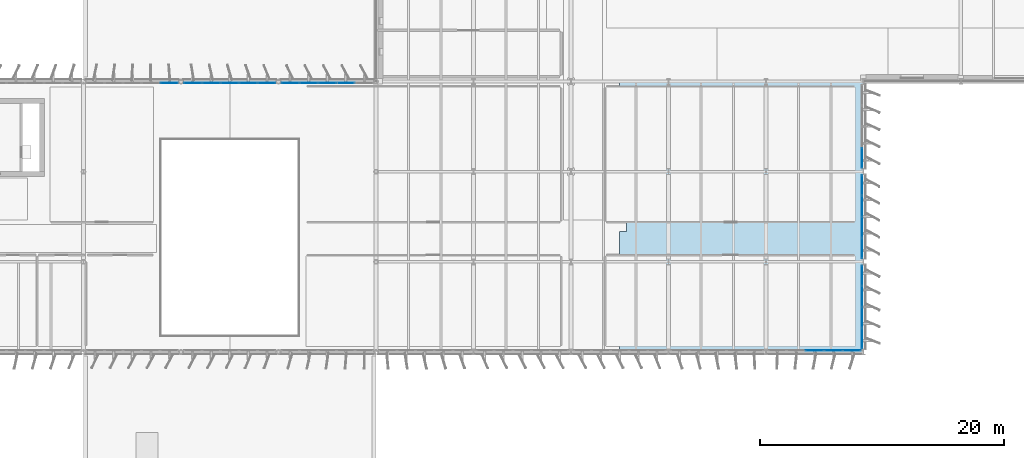
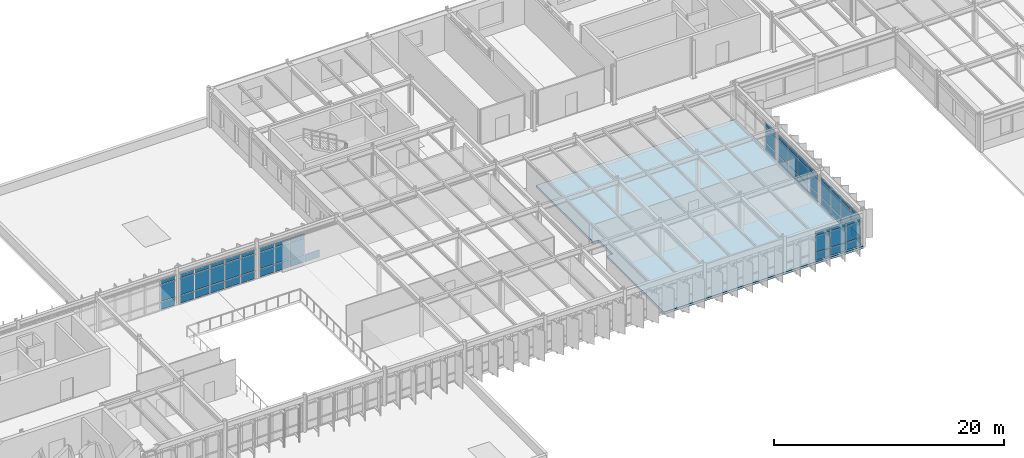
# One storey, part 33 of 56: 64 plates, 1 slab, 7 elements without a shape of their own.
"""IFC4 building model written with IfcOpenShell, lengths in metres."""

from ifc_helpers import new_model, si_unit, direction, frame, origin, origin_2d, place, context, subcontext, project, spatial, polyline, rectangle, outline, extrude, material, layer, layer_set, type_object, element, aggregate, save


model = new_model("IFC4")

# Units and contexts
model_context = context("Model", 3, precision=1e-05, world=origin(), true_north=direction((0.0, 1.0)))
body_context = subcontext(model_context, "Body", "Model", "MODEL_VIEW")
ifc_project = project(units=[si_unit("LENGTHUNIT", "METRE"), si_unit("AREAUNIT", "SQUARE_METRE"), si_unit("VOLUMEUNIT", "CUBIC_METRE"), si_unit("PLANEANGLEUNIT", "RADIAN"), si_unit("MASSUNIT", "GRAM", prefix="KILO")], contexts=[model_context])

# Site, building, storey
site_placement = place(None, origin())
site = spatial("IfcSite", under=ifc_project, at=site_placement, CompositionType="ELEMENT")
building_placement = place(site_placement, origin())
building = spatial("IfcBuilding", under=site, at=building_placement, Name="Valkorina Park Police Headquarters", CompositionType="ELEMENT")
storey_placement = place(building_placement, frame((0.0, 0.0, 14.10009765625)))
storey = spatial("IfcBuildingStorey", under=building, at=storey_placement, Name="L04", CompositionType="ELEMENT", Elevation=14.10009765625)

# Curtain wall, plate
ifc_material_1 = material(Name="Thermally broken aluminium AW-6060", Category="aluminium")
ifc_layer_1 = layer(ifc_material_1, 0.18994140625)
ifc_layer_set_1 = layer_set([ifc_layer_1], Name="Thermally broken aluminium AW-6060")
curtain_wall_type_1 = type_object("IfcCurtainWallType", Name="CW-V5-7620x3260", PredefinedType="NOTDEFINED", material=ifc_layer_set_1)
curtain_wall_1_placement = place(storey_placement, origin())
curtain_wall_1 = element("IfcCurtainWall", 1, at=curtain_wall_1_placement, inside=storey, type_object=curtain_wall_type_1, Name="L04 Unitised Curtain Wall 037", PredefinedType="NOTDEFINED")
ifc_layer_2 = layer(ifc_material_1, 0.050048828125)
ifc_layer_set_2 = layer_set([ifc_layer_2], Name="Thermally broken aluminium AW-6060")
plate_type_1 = type_object("IfcPlateType", Name="PL-CWP-SPANDREL-50", PredefinedType="CURTAIN_PANEL", material=ifc_layer_set_2)
plate_1_placement = place(storey_placement, frame((63.832275390625, 59.080078125, 0.06982421875), z_axis=(0.0, 0.0, 1.0), x_axis=(1.0, 0.0, 0.0)))
plate_1 = element("IfcPlate", 2, at=plate_1_placement, type_object=plate_type_1, Name="CW-V5-762-326 panel 5.1", PredefinedType="CURTAIN_PANEL", context=body_context, shape_type="SweptSolid", body=[
    extrude(rectangle(XDim=1.419921875, YDim=0.028076171875, at=origin_2d()), origin(), (0.0, 0.0, 1.0), 0.794921875),
])

# Curtain wall, plates
ifc_layer_3 = layer(ifc_material_1, 0.18994140625)
ifc_layer_set_3 = layer_set([ifc_layer_3], Name="Thermally broken aluminium AW-6060")
curtain_wall_type_2 = type_object("IfcCurtainWallType", Name="CW-V5-7620x3240", PredefinedType="NOTDEFINED", material=ifc_layer_set_3)
curtain_wall_2_placement = place(storey_placement, origin())
curtain_wall_2 = element("IfcCurtainWall", 3, at=curtain_wall_2_placement, inside=storey, type_object=curtain_wall_type_2, Name="L04 Unitised Curtain Wall 038", PredefinedType="NOTDEFINED")
plate_2_placement = place(storey_placement, frame((65.767822265625, 59.080078125, 0.06982421875), z_axis=(0.0, 0.0, 1.0), x_axis=(1.0, 0.0, 0.0)))
plate_2 = element("IfcPlate", 4, at=plate_2_placement, type_object=plate_type_1, Name="CW-V5-762-324 panel 1.1", PredefinedType="CURTAIN_PANEL", context=body_context, shape_type="SweptSolid", body=[
    extrude(rectangle(XDim=1.419921875, YDim=0.028076171875, at=origin_2d()), origin(), (0.0, 0.0, 1.0), 0.794921875),
])
plate_3_placement = place(storey_placement, frame((67.275146484375, 59.080078125, 0.06982421875), z_axis=(0.0, 0.0, 1.0), x_axis=(1.0, 0.0, 0.0)))
plate_3 = element("IfcPlate", 5, at=plate_3_placement, type_object=plate_type_1, Name="CW-V5-762-324 panel 2.1", PredefinedType="CURTAIN_PANEL", context=body_context, shape_type="SweptSolid", body=[
    extrude(rectangle(XDim=1.454833984375, YDim=0.028076171875, at=origin_2d()), origin(), (0.0, 0.0, 1.0), 0.794921875),
])
plate_4_placement = place(storey_placement, frame((68.800048828125, 59.080078125, 0.06982421875), z_axis=(0.0, 0.0, 1.0), x_axis=(1.0, 0.0, 0.0)))
plate_4 = element("IfcPlate", 6, at=plate_4_placement, type_object=plate_type_1, Name="CW-V5-762-324 panel 3.1", PredefinedType="CURTAIN_PANEL", context=body_context, shape_type="SweptSolid", body=[
    extrude(rectangle(XDim=1.454833984375, YDim=0.028076171875, at=origin_2d()), origin(), (0.0, 0.0, 1.0), 0.794921875),
])
plate_5_placement = place(storey_placement, frame((70.324951171875, 59.080078125, 0.06982421875), z_axis=(0.0, 0.0, 1.0), x_axis=(1.0, 0.0, 0.0)))
plate_5 = element("IfcPlate", 7, at=plate_5_placement, type_object=plate_type_1, Name="CW-V5-762-324 panel 4.1", PredefinedType="CURTAIN_PANEL", context=body_context, shape_type="SweptSolid", body=[
    extrude(rectangle(XDim=1.454833984375, YDim=0.028076171875, at=origin_2d()), origin(), (0.0, 0.0, 1.0), 0.794921875),
])
plate_6_placement = place(storey_placement, frame((71.832275390625, 59.080078125, 0.06982421875), z_axis=(0.0, 0.0, 1.0), x_axis=(1.0, 0.0, 0.0)))
plate_6 = element("IfcPlate", 8, at=plate_6_placement, type_object=plate_type_1, Name="CW-V5-762-324 panel 5.1", PredefinedType="CURTAIN_PANEL", context=body_context, shape_type="SweptSolid", body=[
    extrude(rectangle(XDim=1.419921875, YDim=0.028076171875, at=origin_2d()), origin(), (0.0, 0.0, 1.0), 0.794921875),
])

ifc_layer_4 = layer(ifc_material_1, 0.18994140625)
ifc_layer_set_4 = layer_set([ifc_layer_4], Name="Thermally broken aluminium AW-6060")
curtain_wall_type_3 = type_object("IfcCurtainWallType", Name="CW-V5-7620x3180", PredefinedType="NOTDEFINED", material=ifc_layer_set_4)
curtain_wall_3_placement = place(storey_placement, origin())
curtain_wall_3 = element("IfcCurtainWall", 9, at=curtain_wall_3_placement, inside=storey, type_object=curtain_wall_type_3, Name="L04 Unitised Curtain Wall 039", PredefinedType="NOTDEFINED")
plate_7_placement = place(storey_placement, frame((73.767822265625, 59.080078125, 0.06982421875), z_axis=(0.0, 0.0, 1.0), x_axis=(1.0, 0.0, 0.0)))
plate_7 = element("IfcPlate", 10, at=plate_7_placement, type_object=plate_type_1, Name="CW-V5-762-318 panel 1.1", PredefinedType="CURTAIN_PANEL", context=body_context, shape_type="SweptSolid", body=[
    extrude(rectangle(XDim=1.419921875, YDim=0.028076171875, at=origin_2d()), origin(), (0.0, 0.0, 1.0), 0.794921875),
])
plate_8_placement = place(storey_placement, frame((75.275146484375, 59.080078125, 0.06982421875), z_axis=(0.0, 0.0, 1.0), x_axis=(1.0, 0.0, 0.0)))
plate_8 = element("IfcPlate", 11, at=plate_8_placement, type_object=plate_type_1, Name="CW-V5-762-318 panel 2.1", PredefinedType="CURTAIN_PANEL", context=body_context, shape_type="SweptSolid", body=[
    extrude(rectangle(XDim=1.454833984375, YDim=0.028076171875, at=origin_2d()), origin(), (0.0, 0.0, 1.0), 0.794921875),
])
plate_9_placement = place(storey_placement, frame((76.800048828125, 59.080078125, 0.06982421875), z_axis=(0.0, 0.0, 1.0), x_axis=(1.0, 0.0, 0.0)))
plate_9 = element("IfcPlate", 12, at=plate_9_placement, type_object=plate_type_1, Name="CW-V5-762-318 panel 3.1", PredefinedType="CURTAIN_PANEL", context=body_context, shape_type="SweptSolid", body=[
    extrude(rectangle(XDim=1.454833984375, YDim=0.028076171875, at=origin_2d()), origin(), (0.0, 0.0, 1.0), 0.794921875),
])
plate_10_placement = place(storey_placement, frame((78.324951171875, 59.080078125, 0.06982421875), z_axis=(0.0, 0.0, 1.0), x_axis=(1.0, 0.0, 0.0)))
plate_10 = element("IfcPlate", 13, at=plate_10_placement, type_object=plate_type_1, Name="CW-V5-762-318 panel 4.1", PredefinedType="CURTAIN_PANEL", context=body_context, shape_type="SweptSolid", body=[
    extrude(rectangle(XDim=1.454833984375, YDim=0.028076171875, at=origin_2d()), origin(), (0.0, 0.0, 1.0), 0.794921875),
])

# Curtain wall, plate
ifc_layer_5 = layer(ifc_material_1, 0.18994140625)
ifc_layer_set_5 = layer_set([ifc_layer_5], Name="Thermally broken aluminium AW-6060")
curtain_wall_type_4 = type_object("IfcCurtainWallType", Name="CW-V5-6930x3110", PredefinedType="NOTDEFINED", material=ifc_layer_set_5)
curtain_wall_4_placement = place(storey_placement, origin())
curtain_wall_4 = element("IfcCurtainWall", 14, at=curtain_wall_4_placement, inside=storey, type_object=curtain_wall_type_4, Name="L04 Unitised Curtain Wall 040", PredefinedType="NOTDEFINED")
plate_11_placement = place(storey_placement, frame((120.679931640625, 52.918701171875, 0.06982421875), z_axis=(0.0, 0.0, 1.0), x_axis=(0.0, -1.0, 0.0)))
plate_11 = element("IfcPlate", 15, at=plate_11_placement, type_object=plate_type_1, Name="CW-V5-693-311 panel 4.1", PredefinedType="CURTAIN_PANEL", context=body_context, shape_type="SweptSolid", body=[
    extrude(rectangle(XDim=1.62744140625, YDim=0.028076171875, at=origin_2d()), origin(), (0.0, 0.0, 1.0), 0.794921875),
])

# Curtain wall, plates
curtain_wall_5_placement = place(storey_placement, origin())
curtain_wall_5 = element("IfcCurtainWall", 16, at=curtain_wall_5_placement, inside=storey, type_object=curtain_wall_type_4, Name="L04 Unitised Curtain Wall 041", PredefinedType="NOTDEFINED")
plate_12_placement = place(storey_placement, frame((120.679931640625, 50.68115234375, 0.06982421875), z_axis=(0.0, 0.0, 1.0), x_axis=(0.0, -1.0, 0.0)))
plate_12 = element("IfcPlate", 17, at=plate_12_placement, type_object=plate_type_1, Name="CW-V5-693-311 panel 1.1", PredefinedType="CURTAIN_PANEL", context=body_context, shape_type="SweptSolid", body=[
    extrude(rectangle(XDim=1.62744140625, YDim=0.028076171875, at=origin_2d()), origin(), (0.0, 0.0, 1.0), 0.794921875),
])
plate_13_placement = place(storey_placement, frame((120.679931640625, 48.96630859375, 0.06982421875), z_axis=(0.0, 0.0, 1.0), x_axis=(0.0, -1.0, 0.0)))
plate_13 = element("IfcPlate", 18, at=plate_13_placement, type_object=plate_type_1, Name="CW-V5-693-311 panel 2.1", PredefinedType="CURTAIN_PANEL", context=body_context, shape_type="SweptSolid", body=[
    extrude(rectangle(XDim=1.66259765625, YDim=0.028076171875, at=origin_2d()), origin(), (0.0, 0.0, 1.0), 0.794921875),
])
plate_14_placement = place(storey_placement, frame((120.679931640625, 47.233642578125, 0.06982421875), z_axis=(0.0, 0.0, 1.0), x_axis=(0.0, -1.0, 0.0)))
plate_14 = element("IfcPlate", 19, at=plate_14_placement, type_object=plate_type_1, Name="CW-V5-693-311 panel 3.1", PredefinedType="CURTAIN_PANEL", context=body_context, shape_type="SweptSolid", body=[
    extrude(rectangle(XDim=1.66259765625, YDim=0.028076171875, at=origin_2d()), origin(), (0.0, 0.0, 1.0), 0.794921875),
])
plate_15_placement = place(storey_placement, frame((120.679931640625, 45.518798828125, 0.06982421875), z_axis=(0.0, 0.0, 1.0), x_axis=(0.0, -1.0, 0.0)))
plate_15 = element("IfcPlate", 20, at=plate_15_placement, type_object=plate_type_1, Name="CW-V5-693-311 panel 4.1", PredefinedType="CURTAIN_PANEL", context=body_context, shape_type="SweptSolid", body=[
    extrude(rectangle(XDim=1.62744140625, YDim=0.028076171875, at=origin_2d()), origin(), (0.0, 0.0, 1.0), 0.794921875),
])

curtain_wall_6_placement = place(storey_placement, origin())
curtain_wall_6 = element("IfcCurtainWall", 21, at=curtain_wall_6_placement, inside=storey, type_object=curtain_wall_type_4, Name="L04 Unitised Curtain Wall 042", PredefinedType="NOTDEFINED")
plate_16_placement = place(storey_placement, frame((120.679931640625, 43.28125, 0.06982421875), z_axis=(0.0, 0.0, 1.0), x_axis=(0.0, -1.0, 0.0)))
plate_16 = element("IfcPlate", 22, at=plate_16_placement, type_object=plate_type_1, Name="CW-V5-693-311 panel 1.1", PredefinedType="CURTAIN_PANEL", context=body_context, shape_type="SweptSolid", body=[
    extrude(rectangle(XDim=1.62744140625, YDim=0.028076171875, at=origin_2d()), origin(), (0.0, 0.0, 1.0), 0.794921875),
])
plate_17_placement = place(storey_placement, frame((120.679931640625, 41.566162109375, 0.06982421875), z_axis=(0.0, 0.0, 1.0), x_axis=(0.0, -1.0, 0.0)))
plate_17 = element("IfcPlate", 23, at=plate_17_placement, type_object=plate_type_1, Name="CW-V5-693-311 panel 2.1", PredefinedType="CURTAIN_PANEL", context=body_context, shape_type="SweptSolid", body=[
    extrude(rectangle(XDim=1.66259765625, YDim=0.028076171875, at=origin_2d()), origin(), (0.0, 0.0, 1.0), 0.794921875),
])
plate_18_placement = place(storey_placement, frame((120.679931640625, 39.833740234375, 0.06982421875), z_axis=(0.0, 0.0, 1.0), x_axis=(0.0, -1.0, 0.0)))
plate_18 = element("IfcPlate", 24, at=plate_18_placement, type_object=plate_type_1, Name="CW-V5-693-311 panel 3.1", PredefinedType="CURTAIN_PANEL", context=body_context, shape_type="SweptSolid", body=[
    extrude(rectangle(XDim=1.66259765625, YDim=0.028076171875, at=origin_2d()), origin(), (0.0, 0.0, 1.0), 0.794921875),
])
plate_19_placement = place(storey_placement, frame((120.679931640625, 38.11865234375, 0.06982421875), z_axis=(0.0, 0.0, 1.0), x_axis=(0.0, -1.0, 0.0)))
plate_19 = element("IfcPlate", 25, at=plate_19_placement, type_object=plate_type_1, Name="CW-V5-693-311 panel 4.1", PredefinedType="CURTAIN_PANEL", context=body_context, shape_type="SweptSolid", body=[
    extrude(rectangle(XDim=1.62744140625, YDim=0.028076171875, at=origin_2d()), origin(), (0.0, 0.0, 1.0), 0.794921875),
])

ifc_layer_6 = layer(ifc_material_1, 0.18994140625)
ifc_layer_set_6 = layer_set([ifc_layer_6], Name="Thermally broken aluminium AW-6060")
curtain_wall_type_5 = type_object("IfcCurtainWallType", Name="CW-V5-7680x3170", PredefinedType="NOTDEFINED", material=ifc_layer_set_6)
curtain_wall_7_placement = place(storey_placement, origin())
curtain_wall_7 = element("IfcCurtainWall", 26, at=curtain_wall_7_placement, inside=storey, type_object=curtain_wall_type_5, Name="L04 Unitised Curtain Wall 043", PredefinedType="NOTDEFINED")
plate_20_placement = place(storey_placement, frame((119.8544921875, 37.1201171875, 0.06982421875), z_axis=(0.0, 0.0, 1.0), x_axis=(-1.0, 0.0, 0.0)))
plate_20 = element("IfcPlate", 27, at=plate_20_placement, type_object=plate_type_1, Name="CW-V5-768-317 panel 1.1", PredefinedType="CURTAIN_PANEL", context=body_context, shape_type="SweptSolid", body=[
    extrude(rectangle(XDim=1.430908203125, YDim=0.028076171875, at=origin_2d()), origin(), (0.0, 0.0, 1.0), 0.794921875),
])
plate_21_placement = place(storey_placement, frame((118.3359375, 37.1201171875, 0.06982421875), z_axis=(0.0, 0.0, 1.0), x_axis=(-1.0, 0.0, 0.0)))
plate_21 = element("IfcPlate", 28, at=plate_21_placement, type_object=plate_type_1, Name="CW-V5-768-317 panel 2.1", PredefinedType="CURTAIN_PANEL", context=body_context, shape_type="SweptSolid", body=[
    extrude(rectangle(XDim=1.466064453125, YDim=0.028076171875, at=origin_2d()), origin(), (0.0, 0.0, 1.0), 0.794921875),
])
plate_22_placement = place(storey_placement, frame((116.800048828125, 37.1201171875, 0.06982421875), z_axis=(0.0, 0.0, 1.0), x_axis=(-1.0, 0.0, 0.0)))
plate_22 = element("IfcPlate", 29, at=plate_22_placement, type_object=plate_type_1, Name="CW-V5-768-317 panel 3.1", PredefinedType="CURTAIN_PANEL", context=body_context, shape_type="SweptSolid", body=[
    extrude(rectangle(XDim=1.466064453125, YDim=0.028076171875, at=origin_2d()), origin(), (0.0, 0.0, 1.0), 0.794921875),
])

# Plate
ifc_material_2 = material(Name="Triple low-E insulated glazing", Category="glass")
ifc_layer_7 = layer(ifc_material_2, 0.028076171875)
ifc_layer_set_7 = layer_set([ifc_layer_7], Name="Triple low-E insulated glazing")
plate_type_2 = type_object("IfcPlateType", Name="PL-CWP-VISION-28", PredefinedType="CURTAIN_PANEL", material=ifc_layer_set_7)
plate_23_placement = place(storey_placement, frame((63.832275390625, 59.080078125, 0.93505859375), z_axis=(0.0, 0.0, 1.0), x_axis=(1.0, 0.0, 0.0)))
plate_23 = element("IfcPlate", 30, at=plate_23_placement, type_object=plate_type_2, Name="CW-V5-762-326 panel 5.2", PredefinedType="CURTAIN_PANEL", context=body_context, shape_type="SweptSolid", body=[
    extrude(rectangle(XDim=1.419921875, YDim=0.028076171875, at=origin_2d()), origin(), (0.0, 0.0, 1.0), 1.764892578125),
])

plate_24_placement = place(storey_placement, frame((63.832275390625, 59.080078125, 2.769775390625), z_axis=(0.0, 0.0, 1.0), x_axis=(1.0, 0.0, 0.0)))
plate_24 = element("IfcPlate", 31, at=plate_24_placement, type_object=plate_type_2, Name="CW-V5-762-326 panel 5.3", PredefinedType="CURTAIN_PANEL", context=body_context, shape_type="SweptSolid", body=[
    extrude(rectangle(XDim=1.419921875, YDim=0.028076171875, at=origin_2d()), origin(), (0.0, 0.0, 1.0), 0.4150390625),
])

aggregate(curtain_wall_1, [plate_1, plate_23, plate_24])

plate_25_placement = place(storey_placement, frame((65.767822265625, 59.080078125, 0.934814453125), z_axis=(0.0, 0.0, 1.0), x_axis=(1.0, 0.0, 0.0)))
plate_25 = element("IfcPlate", 32, at=plate_25_placement, type_object=plate_type_2, Name="CW-V5-762-324 panel 1.2", PredefinedType="CURTAIN_PANEL", context=body_context, shape_type="SweptSolid", body=[
    extrude(rectangle(XDim=1.419921875, YDim=0.028076171875, at=origin_2d()), origin(), (0.0, 0.0, 1.0), 1.75),
])

plate_26_placement = place(storey_placement, frame((65.767822265625, 59.080078125, 2.7548828125), z_axis=(0.0, 0.0, 1.0), x_axis=(1.0, 0.0, 0.0)))
plate_26 = element("IfcPlate", 33, at=plate_26_placement, type_object=plate_type_2, Name="CW-V5-762-324 panel 1.3", PredefinedType="CURTAIN_PANEL", context=body_context, shape_type="SweptSolid", body=[
    extrude(rectangle(XDim=1.419921875, YDim=0.028076171875, at=origin_2d()), origin(), (0.0, 0.0, 1.0), 0.4150390625),
])

plate_27_placement = place(storey_placement, frame((67.275146484375, 59.080078125, 0.934814453125), z_axis=(0.0, 0.0, 1.0), x_axis=(1.0, 0.0, 0.0)))
plate_27 = element("IfcPlate", 34, at=plate_27_placement, type_object=plate_type_2, Name="CW-V5-762-324 panel 2.2", PredefinedType="CURTAIN_PANEL", context=body_context, shape_type="SweptSolid", body=[
    extrude(rectangle(XDim=1.454833984375, YDim=0.028076171875, at=origin_2d()), origin(), (0.0, 0.0, 1.0), 1.75),
])

plate_28_placement = place(storey_placement, frame((67.275146484375, 59.080078125, 2.7548828125), z_axis=(0.0, 0.0, 1.0), x_axis=(1.0, 0.0, 0.0)))
plate_28 = element("IfcPlate", 35, at=plate_28_placement, type_object=plate_type_2, Name="CW-V5-762-324 panel 2.3", PredefinedType="CURTAIN_PANEL", context=body_context, shape_type="SweptSolid", body=[
    extrude(rectangle(XDim=1.454833984375, YDim=0.028076171875, at=origin_2d()), origin(), (0.0, 0.0, 1.0), 0.4150390625),
])

plate_29_placement = place(storey_placement, frame((68.800048828125, 59.080078125, 0.934814453125), z_axis=(0.0, 0.0, 1.0), x_axis=(1.0, 0.0, 0.0)))
plate_29 = element("IfcPlate", 36, at=plate_29_placement, type_object=plate_type_2, Name="CW-V5-762-324 panel 3.2", PredefinedType="CURTAIN_PANEL", context=body_context, shape_type="SweptSolid", body=[
    extrude(rectangle(XDim=1.454833984375, YDim=0.028076171875, at=origin_2d()), origin(), (0.0, 0.0, 1.0), 1.75),
])

plate_30_placement = place(storey_placement, frame((68.800048828125, 59.080078125, 2.7548828125), z_axis=(0.0, 0.0, 1.0), x_axis=(1.0, 0.0, 0.0)))
plate_30 = element("IfcPlate", 37, at=plate_30_placement, type_object=plate_type_2, Name="CW-V5-762-324 panel 3.3", PredefinedType="CURTAIN_PANEL", context=body_context, shape_type="SweptSolid", body=[
    extrude(rectangle(XDim=1.454833984375, YDim=0.028076171875, at=origin_2d()), origin(), (0.0, 0.0, 1.0), 0.4150390625),
])

plate_31_placement = place(storey_placement, frame((70.324951171875, 59.080078125, 0.934814453125), z_axis=(0.0, 0.0, 1.0), x_axis=(1.0, 0.0, 0.0)))
plate_31 = element("IfcPlate", 38, at=plate_31_placement, type_object=plate_type_2, Name="CW-V5-762-324 panel 4.2", PredefinedType="CURTAIN_PANEL", context=body_context, shape_type="SweptSolid", body=[
    extrude(rectangle(XDim=1.454833984375, YDim=0.028076171875, at=origin_2d()), origin(), (0.0, 0.0, 1.0), 1.75),
])

plate_32_placement = place(storey_placement, frame((70.324951171875, 59.080078125, 2.7548828125), z_axis=(0.0, 0.0, 1.0), x_axis=(1.0, 0.0, 0.0)))
plate_32 = element("IfcPlate", 39, at=plate_32_placement, type_object=plate_type_2, Name="CW-V5-762-324 panel 4.3", PredefinedType="CURTAIN_PANEL", context=body_context, shape_type="SweptSolid", body=[
    extrude(rectangle(XDim=1.454833984375, YDim=0.028076171875, at=origin_2d()), origin(), (0.0, 0.0, 1.0), 0.4150390625),
])

plate_33_placement = place(storey_placement, frame((71.832275390625, 59.080078125, 0.934814453125), z_axis=(0.0, 0.0, 1.0), x_axis=(1.0, 0.0, 0.0)))
plate_33 = element("IfcPlate", 40, at=plate_33_placement, type_object=plate_type_2, Name="CW-V5-762-324 panel 5.2", PredefinedType="CURTAIN_PANEL", context=body_context, shape_type="SweptSolid", body=[
    extrude(rectangle(XDim=1.419921875, YDim=0.028076171875, at=origin_2d()), origin(), (0.0, 0.0, 1.0), 1.75),
])

plate_34_placement = place(storey_placement, frame((71.832275390625, 59.080078125, 2.7548828125), z_axis=(0.0, 0.0, 1.0), x_axis=(1.0, 0.0, 0.0)))
plate_34 = element("IfcPlate", 41, at=plate_34_placement, type_object=plate_type_2, Name="CW-V5-762-324 panel 5.3", PredefinedType="CURTAIN_PANEL", context=body_context, shape_type="SweptSolid", body=[
    extrude(rectangle(XDim=1.419921875, YDim=0.028076171875, at=origin_2d()), origin(), (0.0, 0.0, 1.0), 0.4150390625),
])

aggregate(curtain_wall_2, [plate_2, plate_25, plate_26, plate_3, plate_27, plate_28, plate_4, plate_29, plate_30, plate_5, plate_31, plate_32, plate_6, plate_33, plate_34])

plate_35_placement = place(storey_placement, frame((73.767822265625, 59.080078125, 0.934814453125), z_axis=(0.0, 0.0, 1.0), x_axis=(1.0, 0.0, 0.0)))
plate_35 = element("IfcPlate", 42, at=plate_35_placement, type_object=plate_type_2, Name="CW-V5-762-318 panel 1.2", PredefinedType="CURTAIN_PANEL", context=body_context, shape_type="SweptSolid", body=[
    extrude(rectangle(XDim=1.419921875, YDim=0.028076171875, at=origin_2d()), origin(), (0.0, 0.0, 1.0), 1.68994140625),
])

plate_36_placement = place(storey_placement, frame((73.767822265625, 59.080078125, 2.69482421875), z_axis=(0.0, 0.0, 1.0), x_axis=(1.0, 0.0, 0.0)))
plate_36 = element("IfcPlate", 43, at=plate_36_placement, type_object=plate_type_2, Name="CW-V5-762-318 panel 1.3", PredefinedType="CURTAIN_PANEL", context=body_context, shape_type="SweptSolid", body=[
    extrude(rectangle(XDim=1.419921875, YDim=0.028076171875, at=origin_2d()), origin(), (0.0, 0.0, 1.0), 0.4150390625),
])

plate_37_placement = place(storey_placement, frame((75.275146484375, 59.080078125, 0.934814453125), z_axis=(0.0, 0.0, 1.0), x_axis=(1.0, 0.0, 0.0)))
plate_37 = element("IfcPlate", 44, at=plate_37_placement, type_object=plate_type_2, Name="CW-V5-762-318 panel 2.2", PredefinedType="CURTAIN_PANEL", context=body_context, shape_type="SweptSolid", body=[
    extrude(rectangle(XDim=1.454833984375, YDim=0.028076171875, at=origin_2d()), origin(), (0.0, 0.0, 1.0), 1.68994140625),
])

plate_38_placement = place(storey_placement, frame((75.275146484375, 59.080078125, 2.69482421875), z_axis=(0.0, 0.0, 1.0), x_axis=(1.0, 0.0, 0.0)))
plate_38 = element("IfcPlate", 45, at=plate_38_placement, type_object=plate_type_2, Name="CW-V5-762-318 panel 2.3", PredefinedType="CURTAIN_PANEL", context=body_context, shape_type="SweptSolid", body=[
    extrude(rectangle(XDim=1.454833984375, YDim=0.028076171875, at=origin_2d()), origin(), (0.0, 0.0, 1.0), 0.4150390625),
])

plate_39_placement = place(storey_placement, frame((76.800048828125, 59.080078125, 0.934814453125), z_axis=(0.0, 0.0, 1.0), x_axis=(1.0, 0.0, 0.0)))
plate_39 = element("IfcPlate", 46, at=plate_39_placement, type_object=plate_type_2, Name="CW-V5-762-318 panel 3.2", PredefinedType="CURTAIN_PANEL", context=body_context, shape_type="SweptSolid", body=[
    extrude(rectangle(XDim=1.454833984375, YDim=0.028076171875, at=origin_2d()), origin(), (0.0, 0.0, 1.0), 1.68994140625),
])

plate_40_placement = place(storey_placement, frame((76.800048828125, 59.080078125, 2.69482421875), z_axis=(0.0, 0.0, 1.0), x_axis=(1.0, 0.0, 0.0)))
plate_40 = element("IfcPlate", 47, at=plate_40_placement, type_object=plate_type_2, Name="CW-V5-762-318 panel 3.3", PredefinedType="CURTAIN_PANEL", context=body_context, shape_type="SweptSolid", body=[
    extrude(rectangle(XDim=1.454833984375, YDim=0.028076171875, at=origin_2d()), origin(), (0.0, 0.0, 1.0), 0.4150390625),
])

aggregate(curtain_wall_3, [plate_7, plate_35, plate_36, plate_8, plate_37, plate_38, plate_9, plate_39, plate_40, plate_10])

plate_41_placement = place(storey_placement, frame((120.679931640625, 52.918701171875, 0.934814453125), z_axis=(0.0, 0.0, 1.0), x_axis=(0.0, -1.0, 0.0)))
plate_41 = element("IfcPlate", 48, at=plate_41_placement, type_object=plate_type_2, Name="CW-V5-693-311 panel 4.2", PredefinedType="CURTAIN_PANEL", context=body_context, shape_type="SweptSolid", body=[
    extrude(rectangle(XDim=1.62744140625, YDim=0.028076171875, at=origin_2d()), origin(), (0.0, 0.0, 1.0), 1.6201171875),
])

plate_42_placement = place(storey_placement, frame((120.679931640625, 52.918701171875, 2.625), z_axis=(0.0, 0.0, 1.0), x_axis=(0.0, -1.0, 0.0)))
plate_42 = element("IfcPlate", 49, at=plate_42_placement, type_object=plate_type_2, Name="CW-V5-693-311 panel 4.3", PredefinedType="CURTAIN_PANEL", context=body_context, shape_type="SweptSolid", body=[
    extrude(rectangle(XDim=1.62744140625, YDim=0.028076171875, at=origin_2d()), origin(), (0.0, 0.0, 1.0), 0.4150390625),
])

aggregate(curtain_wall_4, [plate_11, plate_41, plate_42])

plate_43_placement = place(storey_placement, frame((120.679931640625, 50.68115234375, 0.934814453125), z_axis=(0.0, 0.0, 1.0), x_axis=(0.0, -1.0, 0.0)))
plate_43 = element("IfcPlate", 50, at=plate_43_placement, type_object=plate_type_2, Name="CW-V5-693-311 panel 1.2", PredefinedType="CURTAIN_PANEL", context=body_context, shape_type="SweptSolid", body=[
    extrude(rectangle(XDim=1.62744140625, YDim=0.028076171875, at=origin_2d()), origin(), (0.0, 0.0, 1.0), 1.6201171875),
])

plate_44_placement = place(storey_placement, frame((120.679931640625, 50.68115234375, 2.625), z_axis=(0.0, 0.0, 1.0), x_axis=(0.0, -1.0, 0.0)))
plate_44 = element("IfcPlate", 51, at=plate_44_placement, type_object=plate_type_2, Name="CW-V5-693-311 panel 1.3", PredefinedType="CURTAIN_PANEL", context=body_context, shape_type="SweptSolid", body=[
    extrude(rectangle(XDim=1.62744140625, YDim=0.028076171875, at=origin_2d()), origin(), (0.0, 0.0, 1.0), 0.4150390625),
])

plate_45_placement = place(storey_placement, frame((120.679931640625, 48.96630859375, 0.934814453125), z_axis=(0.0, 0.0, 1.0), x_axis=(0.0, -1.0, 0.0)))
plate_45 = element("IfcPlate", 52, at=plate_45_placement, type_object=plate_type_2, Name="CW-V5-693-311 panel 2.2", PredefinedType="CURTAIN_PANEL", context=body_context, shape_type="SweptSolid", body=[
    extrude(rectangle(XDim=1.66259765625, YDim=0.028076171875, at=origin_2d()), origin(), (0.0, 0.0, 1.0), 1.6201171875),
])

plate_46_placement = place(storey_placement, frame((120.679931640625, 48.96630859375, 2.625), z_axis=(0.0, 0.0, 1.0), x_axis=(0.0, -1.0, 0.0)))
plate_46 = element("IfcPlate", 53, at=plate_46_placement, type_object=plate_type_2, Name="CW-V5-693-311 panel 2.3", PredefinedType="CURTAIN_PANEL", context=body_context, shape_type="SweptSolid", body=[
    extrude(rectangle(XDim=1.66259765625, YDim=0.028076171875, at=origin_2d()), origin(), (0.0, 0.0, 1.0), 0.4150390625),
])

plate_47_placement = place(storey_placement, frame((120.679931640625, 47.233642578125, 0.934814453125), z_axis=(0.0, 0.0, 1.0), x_axis=(0.0, -1.0, 0.0)))
plate_47 = element("IfcPlate", 54, at=plate_47_placement, type_object=plate_type_2, Name="CW-V5-693-311 panel 3.2", PredefinedType="CURTAIN_PANEL", context=body_context, shape_type="SweptSolid", body=[
    extrude(rectangle(XDim=1.66259765625, YDim=0.028076171875, at=origin_2d()), origin(), (0.0, 0.0, 1.0), 1.6201171875),
])

plate_48_placement = place(storey_placement, frame((120.679931640625, 47.233642578125, 2.625), z_axis=(0.0, 0.0, 1.0), x_axis=(0.0, -1.0, 0.0)))
plate_48 = element("IfcPlate", 55, at=plate_48_placement, type_object=plate_type_2, Name="CW-V5-693-311 panel 3.3", PredefinedType="CURTAIN_PANEL", context=body_context, shape_type="SweptSolid", body=[
    extrude(rectangle(XDim=1.66259765625, YDim=0.028076171875, at=origin_2d()), origin(), (0.0, 0.0, 1.0), 0.4150390625),
])

plate_49_placement = place(storey_placement, frame((120.679931640625, 45.518798828125, 0.934814453125), z_axis=(0.0, 0.0, 1.0), x_axis=(0.0, -1.0, 0.0)))
plate_49 = element("IfcPlate", 56, at=plate_49_placement, type_object=plate_type_2, Name="CW-V5-693-311 panel 4.2", PredefinedType="CURTAIN_PANEL", context=body_context, shape_type="SweptSolid", body=[
    extrude(rectangle(XDim=1.62744140625, YDim=0.028076171875, at=origin_2d()), origin(), (0.0, 0.0, 1.0), 1.6201171875),
])

plate_50_placement = place(storey_placement, frame((120.679931640625, 45.518798828125, 2.625), z_axis=(0.0, 0.0, 1.0), x_axis=(0.0, -1.0, 0.0)))
plate_50 = element("IfcPlate", 57, at=plate_50_placement, type_object=plate_type_2, Name="CW-V5-693-311 panel 4.3", PredefinedType="CURTAIN_PANEL", context=body_context, shape_type="SweptSolid", body=[
    extrude(rectangle(XDim=1.62744140625, YDim=0.028076171875, at=origin_2d()), origin(), (0.0, 0.0, 1.0), 0.4150390625),
])

aggregate(curtain_wall_5, [plate_12, plate_43, plate_44, plate_13, plate_45, plate_46, plate_14, plate_47, plate_48, plate_15, plate_49, plate_50])

plate_51_placement = place(storey_placement, frame((120.679931640625, 43.28125, 0.934814453125), z_axis=(0.0, 0.0, 1.0), x_axis=(0.0, -1.0, 0.0)))
plate_51 = element("IfcPlate", 58, at=plate_51_placement, type_object=plate_type_2, Name="CW-V5-693-311 panel 1.2", PredefinedType="CURTAIN_PANEL", context=body_context, shape_type="SweptSolid", body=[
    extrude(rectangle(XDim=1.62744140625, YDim=0.028076171875, at=origin_2d()), origin(), (0.0, 0.0, 1.0), 1.6201171875),
])

plate_52_placement = place(storey_placement, frame((120.679931640625, 43.28125, 2.625), z_axis=(0.0, 0.0, 1.0), x_axis=(0.0, -1.0, 0.0)))
plate_52 = element("IfcPlate", 59, at=plate_52_placement, type_object=plate_type_2, Name="CW-V5-693-311 panel 1.3", PredefinedType="CURTAIN_PANEL", context=body_context, shape_type="SweptSolid", body=[
    extrude(rectangle(XDim=1.62744140625, YDim=0.028076171875, at=origin_2d()), origin(), (0.0, 0.0, 1.0), 0.4150390625),
])

plate_53_placement = place(storey_placement, frame((120.679931640625, 41.566162109375, 0.934814453125), z_axis=(0.0, 0.0, 1.0), x_axis=(0.0, -1.0, 0.0)))
plate_53 = element("IfcPlate", 60, at=plate_53_placement, type_object=plate_type_2, Name="CW-V5-693-311 panel 2.2", PredefinedType="CURTAIN_PANEL", context=body_context, shape_type="SweptSolid", body=[
    extrude(rectangle(XDim=1.66259765625, YDim=0.028076171875, at=origin_2d()), origin(), (0.0, 0.0, 1.0), 1.6201171875),
])

plate_54_placement = place(storey_placement, frame((120.679931640625, 41.566162109375, 2.625), z_axis=(0.0, 0.0, 1.0), x_axis=(0.0, -1.0, 0.0)))
plate_54 = element("IfcPlate", 61, at=plate_54_placement, type_object=plate_type_2, Name="CW-V5-693-311 panel 2.3", PredefinedType="CURTAIN_PANEL", context=body_context, shape_type="SweptSolid", body=[
    extrude(rectangle(XDim=1.66259765625, YDim=0.028076171875, at=origin_2d()), origin(), (0.0, 0.0, 1.0), 0.4150390625),
])

plate_55_placement = place(storey_placement, frame((120.679931640625, 39.833740234375, 0.934814453125), z_axis=(0.0, 0.0, 1.0), x_axis=(0.0, -1.0, 0.0)))
plate_55 = element("IfcPlate", 62, at=plate_55_placement, type_object=plate_type_2, Name="CW-V5-693-311 panel 3.2", PredefinedType="CURTAIN_PANEL", context=body_context, shape_type="SweptSolid", body=[
    extrude(rectangle(XDim=1.66259765625, YDim=0.028076171875, at=origin_2d()), origin(), (0.0, 0.0, 1.0), 1.6201171875),
])

plate_56_placement = place(storey_placement, frame((120.679931640625, 39.833740234375, 2.625), z_axis=(0.0, 0.0, 1.0), x_axis=(0.0, -1.0, 0.0)))
plate_56 = element("IfcPlate", 63, at=plate_56_placement, type_object=plate_type_2, Name="CW-V5-693-311 panel 3.3", PredefinedType="CURTAIN_PANEL", context=body_context, shape_type="SweptSolid", body=[
    extrude(rectangle(XDim=1.66259765625, YDim=0.028076171875, at=origin_2d()), origin(), (0.0, 0.0, 1.0), 0.4150390625),
])

plate_57_placement = place(storey_placement, frame((120.679931640625, 38.11865234375, 0.934814453125), z_axis=(0.0, 0.0, 1.0), x_axis=(0.0, -1.0, 0.0)))
plate_57 = element("IfcPlate", 64, at=plate_57_placement, type_object=plate_type_2, Name="CW-V5-693-311 panel 4.2", PredefinedType="CURTAIN_PANEL", context=body_context, shape_type="SweptSolid", body=[
    extrude(rectangle(XDim=1.62744140625, YDim=0.028076171875, at=origin_2d()), origin(), (0.0, 0.0, 1.0), 1.6201171875),
])

plate_58_placement = place(storey_placement, frame((120.679931640625, 38.11865234375, 2.625), z_axis=(0.0, 0.0, 1.0), x_axis=(0.0, -1.0, 0.0)))
plate_58 = element("IfcPlate", 65, at=plate_58_placement, type_object=plate_type_2, Name="CW-V5-693-311 panel 4.3", PredefinedType="CURTAIN_PANEL", context=body_context, shape_type="SweptSolid", body=[
    extrude(rectangle(XDim=1.62744140625, YDim=0.028076171875, at=origin_2d()), origin(), (0.0, 0.0, 1.0), 0.4150390625),
])

aggregate(curtain_wall_6, [plate_16, plate_51, plate_52, plate_17, plate_53, plate_54, plate_18, plate_55, plate_56, plate_19, plate_57, plate_58])

plate_59_placement = place(storey_placement, frame((119.8544921875, 37.1201171875, 0.93505859375), z_axis=(0.0, 0.0, 1.0), x_axis=(-1.0, 0.0, 0.0)))
plate_59 = element("IfcPlate", 66, at=plate_59_placement, type_object=plate_type_2, Name="CW-V5-768-317 panel 1.2", PredefinedType="CURTAIN_PANEL", context=body_context, shape_type="SweptSolid", body=[
    extrude(rectangle(XDim=1.430908203125, YDim=0.028076171875, at=origin_2d()), origin(), (0.0, 0.0, 1.0), 1.679931640625),
])

plate_60_placement = place(storey_placement, frame((119.8544921875, 37.1201171875, 2.684814453125), z_axis=(0.0, 0.0, 1.0), x_axis=(-1.0, 0.0, 0.0)))
plate_60 = element("IfcPlate", 67, at=plate_60_placement, type_object=plate_type_2, Name="CW-V5-768-317 panel 1.3", PredefinedType="CURTAIN_PANEL", context=body_context, shape_type="SweptSolid", body=[
    extrude(rectangle(XDim=1.430908203125, YDim=0.028076171875, at=origin_2d()), origin(), (0.0, 0.0, 1.0), 0.4150390625),
])

plate_61_placement = place(storey_placement, frame((118.3359375, 37.1201171875, 0.93505859375), z_axis=(0.0, 0.0, 1.0), x_axis=(-1.0, 0.0, 0.0)))
plate_61 = element("IfcPlate", 68, at=plate_61_placement, type_object=plate_type_2, Name="CW-V5-768-317 panel 2.2", PredefinedType="CURTAIN_PANEL", context=body_context, shape_type="SweptSolid", body=[
    extrude(rectangle(XDim=1.466064453125, YDim=0.028076171875, at=origin_2d()), origin(), (0.0, 0.0, 1.0), 1.679931640625),
])

plate_62_placement = place(storey_placement, frame((118.3359375, 37.1201171875, 2.684814453125), z_axis=(0.0, 0.0, 1.0), x_axis=(-1.0, 0.0, 0.0)))
plate_62 = element("IfcPlate", 69, at=plate_62_placement, type_object=plate_type_2, Name="CW-V5-768-317 panel 2.3", PredefinedType="CURTAIN_PANEL", context=body_context, shape_type="SweptSolid", body=[
    extrude(rectangle(XDim=1.466064453125, YDim=0.028076171875, at=origin_2d()), origin(), (0.0, 0.0, 1.0), 0.4150390625),
])

plate_63_placement = place(storey_placement, frame((116.800048828125, 37.1201171875, 0.93505859375), z_axis=(0.0, 0.0, 1.0), x_axis=(-1.0, 0.0, 0.0)))
plate_63 = element("IfcPlate", 70, at=plate_63_placement, type_object=plate_type_2, Name="CW-V5-768-317 panel 3.2", PredefinedType="CURTAIN_PANEL", context=body_context, shape_type="SweptSolid", body=[
    extrude(rectangle(XDim=1.466064453125, YDim=0.028076171875, at=origin_2d()), origin(), (0.0, 0.0, 1.0), 1.679931640625),
])

plate_64_placement = place(storey_placement, frame((116.800048828125, 37.1201171875, 2.684814453125), z_axis=(0.0, 0.0, 1.0), x_axis=(-1.0, 0.0, 0.0)))
plate_64 = element("IfcPlate", 71, at=plate_64_placement, type_object=plate_type_2, Name="CW-V5-768-317 panel 3.3", PredefinedType="CURTAIN_PANEL", context=body_context, shape_type="SweptSolid", body=[
    extrude(rectangle(XDim=1.466064453125, YDim=0.028076171875, at=origin_2d()), origin(), (0.0, 0.0, 1.0), 0.4150390625),
])

aggregate(curtain_wall_7, [plate_20, plate_59, plate_60, plate_21, plate_61, plate_62, plate_22, plate_63, plate_64])

# Slab
ifc_material_3 = material(Name="Concrete C35/45", Category="concrete")
ifc_layer_8 = layer(ifc_material_3, 0.2451171875)
ifc_layer_set_8 = layer_set([ifc_layer_8], Name="Concrete C35/45")
slab_type = type_object("IfcSlabType", Name="SL-COMP-LAB-170", PredefinedType="FLOOR", material=ifc_layer_set_8)
slab_placement = place(storey_placement, frame((0.0, 0.0, -0.2451171875)))
element("IfcSlab", 72, at=slab_placement, inside=storey, type_object=slab_type, Name="L04 Structural Floor Slab 80", PredefinedType="FLOOR", context=body_context, shape_type="SweptSolid", body=[
    extrude(outline(polyline([(100.800048828125, 59.19189453125), (100.800048828125, 49.2958984375), (101.35009765625, 49.2958984375), (101.35009765625, 46.89599609375), (100.800048828125, 46.89599609375), (100.800048828125, 37.0), (120.800048828125, 37.0), (120.800048828125, 59.19189453125), (100.800048828125, 59.19189453125)])), origin(), (0.0, 0.0, 1.0), 0.2451171875),
])

save(model, "model.ifc")
